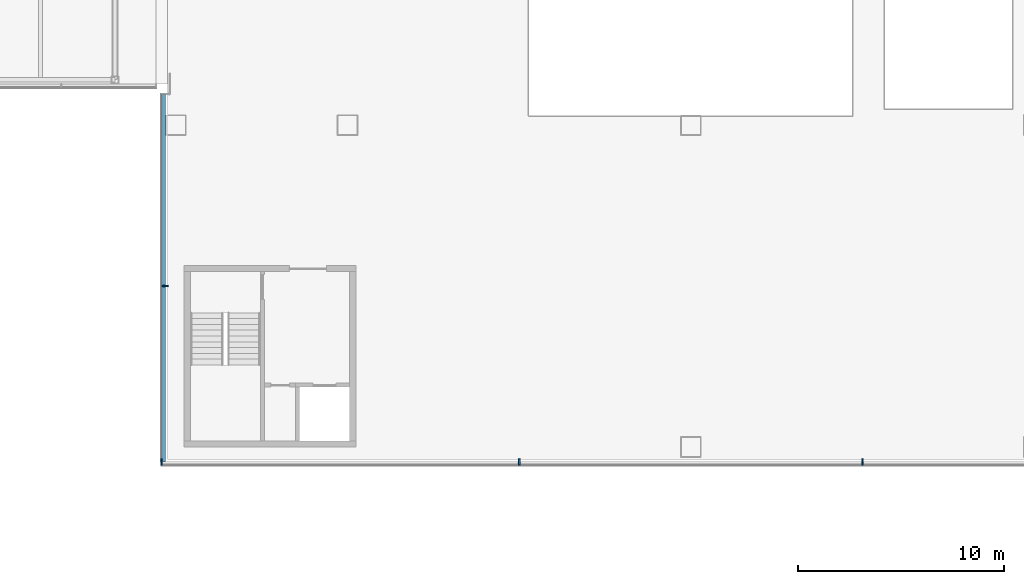
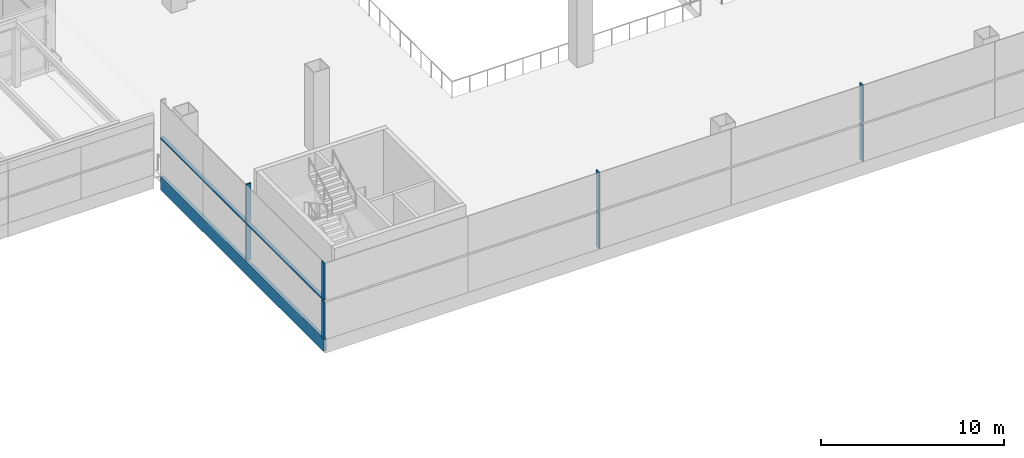
# One storey, part 19 of 100: 10 members, 2 elements without a shape of their own.
"""IFC4 building model written with IfcOpenShell, lengths in metres."""

from ifc_helpers import new_model, si_unit, direction, frame, origin, origin_2d, place, context, subcontext, project, spatial, rectangle, extrude, material, layer, layer_set, material_profile, profile_set, type_object, element, aggregate, save


model = new_model("IFC4")

# Units and contexts
model_context = context("Model", 3, precision=1e-05, world=origin(), true_north=direction((0.0, 1.0)))
body_context = subcontext(model_context, "Body", "Model", "MODEL_VIEW")
ifc_project = project(units=[si_unit("LENGTHUNIT", "METRE"), si_unit("AREAUNIT", "SQUARE_METRE"), si_unit("VOLUMEUNIT", "CUBIC_METRE"), si_unit("PLANEANGLEUNIT", "RADIAN"), si_unit("MASSUNIT", "GRAM", prefix="KILO")], contexts=[model_context])

# Site, building, storey
site_placement = place(None, origin())
site = spatial("IfcSite", under=ifc_project, at=site_placement, CompositionType="ELEMENT")
building_placement = place(site_placement, origin())
building = spatial("IfcBuilding", under=site, at=building_placement, Name="Hakoniwa Tower and Hamabe Station Hall", CompositionType="ELEMENT")
storey_placement = place(building_placement, frame((0.0, 0.0, 9.0)))
storey = spatial("IfcBuildingStorey", under=building, at=storey_placement, Name="L02", CompositionType="ELEMENT", Elevation=9.0)

# Curtain wall, members
ifc_material_1 = material(Name="Dark low-e laminated glass", Category="glass")
ifc_layer = layer(ifc_material_1, 0.199951171875)
ifc_layer_set = layer_set([ifc_layer], Name="CW-7 STATION")
curtain_wall_type = type_object("IfcCurtainWallType", Name="CW-7 STATION", PredefinedType="NOTDEFINED", material=ifc_layer_set)
curtain_wall_1_placement = place(storey_placement, origin())
curtain_wall_1 = element("IfcCurtainWall", 1, at=curtain_wall_1_placement, inside=storey, type_object=curtain_wall_type, Name="Station curtain wall L02 west 2", PredefinedType="NOTDEFINED")
ifc_material_2 = material(Name="Aluminium 6063-T5 black anodised", Category="aluminium")
ifc_material_profile_1 = material_profile(ifc_material_2, rectangle(XDim=0.199951171875, YDim=0.1201171875, at=origin_2d()), Name="CW MID TRANSOM 120X200")
ifc_profile_set_1 = profile_set([ifc_material_profile_1], Name="Aluminium 6063-T5 black anodised")
member_type_1 = type_object("IfcMemberType", Name="CW MID TRANSOM 120X200", PredefinedType="USERDEFINED", material=ifc_profile_set_1)
member_1_placement = place(storey_placement, frame((85.35009765625, -6.300048828125, 2.89990234375), z_axis=(0.0, -1.0, 0.0), x_axis=(1.0, 0.0, 0.0)))
member_1 = element("IfcMember", 2, at=member_1_placement, type_object=member_type_1, Name="CW-7 transom", ObjectType="TRANSOM", PredefinedType="USERDEFINED", context=body_context, shape_type="SweptSolid", body=[
    extrude(rectangle(XDim=0.199951171875, YDim=0.1201171875, at=origin_2d()), origin(), (0.0, 0.0, 1.0), 17.800048828125),
])
ifc_material_3 = material(Name="Aluminium 6063-T5 black anodised", Category="aluminium")
ifc_material_profile_2 = material_profile(ifc_material_3, rectangle(XDim=0.199951171875, YDim=0.89990234375, at=origin_2d()), Name="CW SLAB-EDGE BAND 900X200")
ifc_profile_set_2 = profile_set([ifc_material_profile_2], Name="Aluminium 6063-T5 black anodised")
member_type_2 = type_object("IfcMemberType", Name="CW SLAB-EDGE BAND 900X200", PredefinedType="USERDEFINED", material=ifc_profile_set_2)
member_2_placement = place(storey_placement, frame((85.35009765625, -6.300048828125, -0.10009765625), z_axis=(0.0, -1.0, 0.0), x_axis=(1.0, 0.0, 0.0)))
member_2 = element("IfcMember", 3, at=member_2_placement, type_object=member_type_2, Name="CW-7 transom", ObjectType="TRANSOM", PredefinedType="USERDEFINED", context=body_context, shape_type="SweptSolid", body=[
    extrude(rectangle(XDim=0.199951171875, YDim=0.89990234375, at=origin_2d()), origin(), (0.0, 0.0, 1.0), 17.800048828125),
])

curtain_wall_2_placement = place(storey_placement, origin())
curtain_wall_2 = element("IfcCurtainWall", 4, at=curtain_wall_2_placement, inside=storey, type_object=curtain_wall_type, Name="Station curtain wall L02 south", PredefinedType="NOTDEFINED")
ifc_material_4 = material(Name="Aluminium 6063-T5 black anodised", Category="aluminium")
ifc_material_profile_3 = material_profile(ifc_material_4, rectangle(XDim=0.080078125, YDim=0.300048828125, at=origin_2d()), Name="CW-3 MULLION 80X300")
ifc_profile_set_3 = profile_set([ifc_material_profile_3], Name="Aluminium 6063-T5 black anodised")
member_type_3 = type_object("IfcMemberType", Name="CW-3 MULLION 80X300", PredefinedType="MULLION", material=ifc_profile_set_3)
member_3_placement = place(storey_placement, frame((85.25, -24.1220703125, 0.35009765625), z_axis=(0.0, 0.0, 1.0), x_axis=(1.0, 0.0, 0.0)))
member_3 = element("IfcMember", 5, at=member_3_placement, type_object=member_type_3, Name="CW-7 mullion", PredefinedType="MULLION", context=body_context, shape_type="SweptSolid", body=[
    extrude(rectangle(XDim=0.080078125, YDim=0.300048828125, at=origin_2d()), origin(), (0.0, 0.0, 1.0), 2.489990234375),
])
member_4_placement = place(storey_placement, frame((85.25, -24.1220703125, 2.9599609375), z_axis=(0.0, 0.0, 1.0), x_axis=(1.0, 0.0, 0.0)))
member_4 = element("IfcMember", 6, at=member_4_placement, type_object=member_type_3, Name="CW-7 mullion", PredefinedType="MULLION", context=body_context, shape_type="SweptSolid", body=[
    extrude(rectangle(XDim=0.080078125, YDim=0.300048828125, at=origin_2d()), origin(), (0.0, 0.0, 1.0), 2.489990234375),
])
member_5_placement = place(storey_placement, frame((102.590087890625, -24.1220703125, 0.35009765625), z_axis=(0.0, 0.0, 1.0), x_axis=(1.0, 0.0, 0.0)))
member_5 = element("IfcMember", 7, at=member_5_placement, type_object=member_type_3, Name="CW-7 mullion", PredefinedType="MULLION", context=body_context, shape_type="SweptSolid", body=[
    extrude(rectangle(XDim=0.080078125, YDim=0.300048828125, at=origin_2d()), origin(), (0.0, 0.0, 1.0), 2.489990234375),
])
member_6_placement = place(storey_placement, frame((102.590087890625, -24.1220703125, 2.9599609375), z_axis=(0.0, 0.0, 1.0), x_axis=(1.0, 0.0, 0.0)))
member_6 = element("IfcMember", 8, at=member_6_placement, type_object=member_type_3, Name="CW-7 mullion", PredefinedType="MULLION", context=body_context, shape_type="SweptSolid", body=[
    extrude(rectangle(XDim=0.080078125, YDim=0.300048828125, at=origin_2d()), origin(), (0.0, 0.0, 1.0), 2.489990234375),
])
member_7_placement = place(storey_placement, frame((119.22998046875, -24.1220703125, 0.35009765625), z_axis=(0.0, 0.0, 1.0), x_axis=(1.0, 0.0, 0.0)))
member_7 = element("IfcMember", 9, at=member_7_placement, type_object=member_type_3, Name="CW-7 mullion", PredefinedType="MULLION", context=body_context, shape_type="SweptSolid", body=[
    extrude(rectangle(XDim=0.080078125, YDim=0.300048828125, at=origin_2d()), origin(), (0.0, 0.0, 1.0), 2.489990234375),
])
member_8_placement = place(storey_placement, frame((119.22998046875, -24.1220703125, 2.9599609375), z_axis=(0.0, 0.0, 1.0), x_axis=(1.0, 0.0, 0.0)))
member_8 = element("IfcMember", 10, at=member_8_placement, type_object=member_type_3, Name="CW-7 mullion", PredefinedType="MULLION", context=body_context, shape_type="SweptSolid", body=[
    extrude(rectangle(XDim=0.080078125, YDim=0.300048828125, at=origin_2d()), origin(), (0.0, 0.0, 1.0), 2.489990234375),
])
aggregate(curtain_wall_2, [member_3, member_4, member_5, member_6, member_7, member_8])

# Member
member_9_placement = place(storey_placement, frame((85.427978515625, -15.60009765625, 0.35009765625), z_axis=(0.0, 0.0, 1.0), x_axis=(0.0, -1.0, 0.0)))
member_9 = element("IfcMember", 11, at=member_9_placement, type_object=member_type_3, Name="CW-7 mullion", PredefinedType="MULLION", context=body_context, shape_type="SweptSolid", body=[
    extrude(rectangle(XDim=0.080078125, YDim=0.300048828125, at=origin_2d()), origin(), (0.0, 0.0, 1.0), 2.489990234375),
])

member_10_placement = place(storey_placement, frame((85.427978515625, -15.60009765625, 2.9599609375), z_axis=(0.0, 0.0, 1.0), x_axis=(0.0, -1.0, 0.0)))
member_10 = element("IfcMember", 12, at=member_10_placement, type_object=member_type_3, Name="CW-7 mullion", PredefinedType="MULLION", context=body_context, shape_type="SweptSolid", body=[
    extrude(rectangle(XDim=0.080078125, YDim=0.300048828125, at=origin_2d()), origin(), (0.0, 0.0, 1.0), 2.489990234375),
])

aggregate(curtain_wall_1, [member_9, member_10, member_2, member_1])

save(model, "model.ifc")
